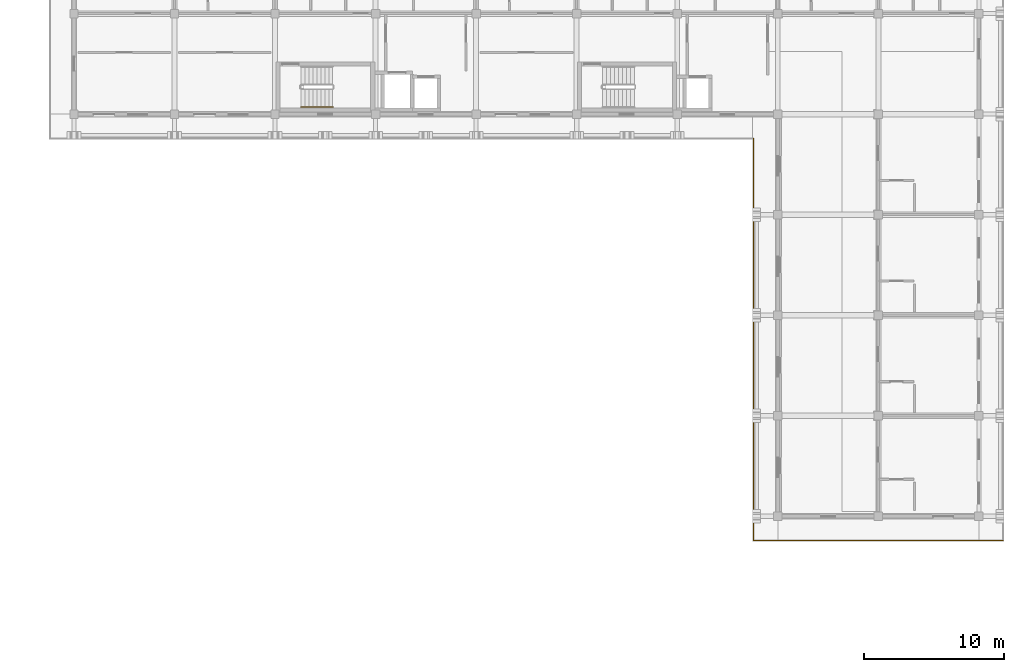
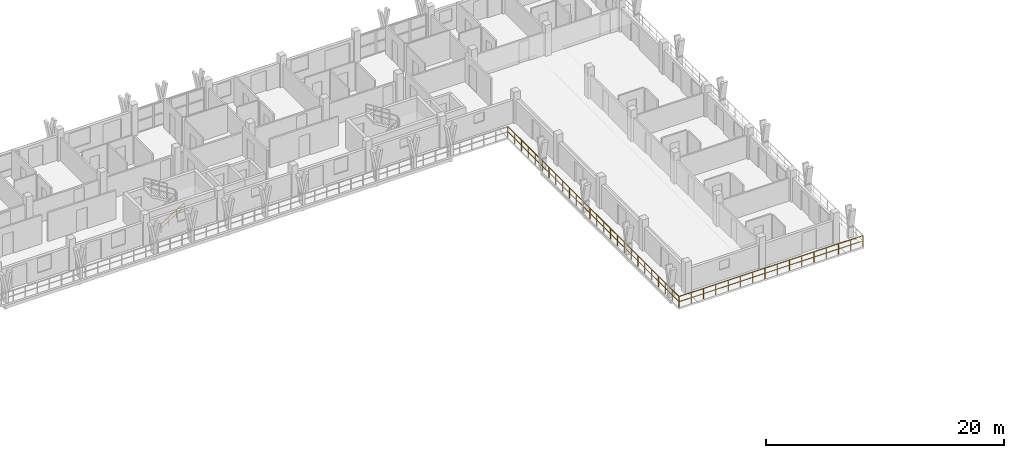
# One storey, part 75 of 78: 3 railings.
"""IFC4 building model written with IfcOpenShell, lengths in metres."""

import ifcopenshell
import ifcopenshell.guid

model = None  # the IFC model being written
_history = None  # IfcOwnerHistory: only IFC2X3 demands one
_inside = {}  # id of a spatial element -> (the spatial element, [elements in it])
_under = {}  # id of a project, library or spatial element -> (it, [spatial elements below it])
_declared = {}  # id of a project -> (the project, [libraries it declares])
_typed = {}  # id of a type object -> (the type object, [elements of that type])
_made_of = {}  # id of a material, layer set ... -> (it, [elements and type objects made of it])


def new_model(schema):
    """Start an empty IFC model of exactly this schema.

    Asked for "IFC4X3", IfcOpenShell would pick the latest addendum, in which some entities
    have other attributes; the version numbers below select the first issue.
    IFC2X3 requires an IfcOwnerHistory on every rooted entity: one is made here for all.
    """
    global model, _history
    if schema == "IFC4X3":
        model = ifcopenshell.file(schema_version=(4, 3, 0, 0))
    else:
        model = ifcopenshell.file(schema=schema)
    _inside.clear()
    _under.clear()
    _declared.clear()
    _typed.clear()
    _made_of.clear()
    _history = None
    if model.schema == "IFC2X3":
        org = make("IfcOrganization", Name="unknown")
        user = make(
            "IfcPersonAndOrganization",
            ThePerson=make("IfcPerson", FamilyName="unknown"),
            TheOrganization=org,
        )
        app = make(
            "IfcApplication",
            ApplicationDeveloper=org,
            Version="unknown",
            ApplicationFullName="unknown",
            ApplicationIdentifier="unknown",
        )
        _history = make(
            "IfcOwnerHistory",
            OwningUser=user,
            OwningApplication=app,
            ChangeAction="ADDED",
            CreationDate=0,
        )
    return model


def make(cls, **values):
    """One entity of the class cls with the attributes given. An attribute that is None is left unset."""
    return model.create_entity(
        cls, **{name: value for name, value in values.items() if value is not None}
    )


def rooted(cls, **values):
    """An entity with a GlobalId (a new one), such as an element, a storey or a relation."""
    return make(cls, GlobalId=ifcopenshell.guid.new(), OwnerHistory=_history, **values)


def si_unit(unit_type, name, prefix=None):
    """IfcSIUnit, for example si_unit("LENGTHUNIT", "METRE", prefix="MILLI")."""
    return make("IfcSIUnit", UnitType=unit_type, Prefix=prefix, Name=name)


def assignment(units):
    """IfcUnitAssignment: the units of a project."""
    return None if units is None else make("IfcUnitAssignment", Units=units)


def point(xyz):
    """IfcCartesianPoint."""
    return None if xyz is None else make("IfcCartesianPoint", Coordinates=xyz)


def direction(xyz):
    """IfcDirection."""
    return None if xyz is None else make("IfcDirection", DirectionRatios=xyz)


def frame(location, z_axis=None, x_axis=None):
    """IfcAxis2Placement3D, a coordinate frame: its origin and axes. An axis left out is left unset."""
    return make(
        "IfcAxis2Placement3D",
        Location=point(location),
        Axis=direction(z_axis),
        RefDirection=direction(x_axis),
    )


def frame_2d(location, x_axis=None):
    """IfcAxis2Placement2D, a coordinate frame in the plane: its origin and x axis."""
    return make(
        "IfcAxis2Placement2D", Location=point(location), RefDirection=direction(x_axis)
    )


def origin():
    """The frame at (0, 0, 0) with its axes left unset."""
    return frame((0.0, 0.0, 0.0))


def origin_2d():
    """The frame at (0, 0) in the plane with its x axis left unset."""
    return frame_2d((0.0, 0.0))


def place(relative_to, where):
    """IfcLocalPlacement: puts the frame where relative to a parent placement (None: the world)."""
    return make(
        "IfcLocalPlacement", PlacementRelTo=relative_to, RelativePlacement=where
    )


def context(
    kind, dimensions, precision=None, world=None, true_north=None, identifier=None
):
    """IfcGeometricRepresentationContext, for example the 3D "Model" context."""
    return make(
        "IfcGeometricRepresentationContext",
        ContextIdentifier=identifier,
        ContextType=kind,
        CoordinateSpaceDimension=dimensions,
        Precision=precision,
        WorldCoordinateSystem=world,
        TrueNorth=true_north,
    )


def subcontext(parent, identifier, kind, view, scale=None):
    """IfcGeometricRepresentationSubContext, for example "Body" below "Model"."""
    return make(
        "IfcGeometricRepresentationSubContext",
        ContextIdentifier=identifier,
        ContextType=kind,
        ParentContext=parent,
        TargetScale=scale,
        TargetView=view,
    )


def project(units=None, contexts=None):
    """IfcProject with its units and contexts."""
    return rooted(
        "IfcProject",
        Name="project",
        RepresentationContexts=contexts,
        UnitsInContext=assignment(units),
    )


def spatial(cls, under=None, at=None, **own):
    """A site, building, storey or space (cls), placed at a placement, below another one or the project."""
    s = rooted(cls, ObjectPlacement=at, **own)
    if under is not None:
        _under.setdefault(under.id(), (under, []))[1].append(s)
    return s


def profile(cls, at=None, kind="AREA", **sizes):
    """A parametric profile (cls). Its sizes go by their IFC names, for example OverallWidth=200.0."""
    return make(cls, ProfileType=kind, Position=at, **sizes)


def rectangle(**sizes):
    """IfcRectangleProfileDef."""
    return profile("IfcRectangleProfileDef", **sizes)


def extrude(swept, where, along, depth):
    """IfcExtrudedAreaSolid: the profile swept, set in the frame where, extruded along a direction by depth."""
    return make(
        "IfcExtrudedAreaSolid",
        SweptArea=swept,
        Position=where,
        ExtrudedDirection=direction(along),
        Depth=depth,
    )


def shape(context_of_items, identifier, shape_type, items):
    """IfcShapeRepresentation: the items that make up one representation, for example the "Body"."""
    return make(
        "IfcShapeRepresentation",
        ContextOfItems=context_of_items,
        RepresentationIdentifier=identifier,
        RepresentationType=shape_type,
        Items=items,
    )


def material(Name=None, Category=None):
    """IfcMaterial."""
    return make("IfcMaterial", Name=Name, Category=Category)


def made_of(thing, what):
    """Note that an element or type object is made of a material, layer set ...; save() writes the relation."""
    if what is not None:
        _made_of.setdefault(what.id(), (what, []))[1].append(thing)
    return thing


def type_object(cls, material=None, **own):
    """A type object (cls), such as IfcWallType, which elements share."""
    return made_of(rooted(cls, **own), material)


def element(
    cls,
    number,
    at=None,
    inside=None,
    cuts=None,
    type_object=None,
    material=None,
    context=None,
    identifier="Body",
    shape_type=None,
    held_by="IfcProductDefinitionShape",
    body=None,
    shapes=None,
    **own,
):
    """One element of the class cls, such as IfcWall. Its Tag is "e" and its number.

    at: its placement. inside: the storey or other place that contains it. cuts: it is an
    opening in that element (IfcRelVoidsElement). A single representation is given by context,
    identifier, shape_type and body (its items); several are given by shapes. held_by: the class
    of the entity that holds the representations. save() writes the other relations.
    """
    e = rooted(cls, Tag="e%d" % number, ObjectPlacement=at, **own)
    if body is not None:
        shapes = [shape(context, identifier, shape_type, body)]
    if shapes is not None:
        e.Representation = make(held_by, Representations=shapes)
    if inside is not None:
        _inside.setdefault(inside.id(), (inside, []))[1].append(e)
    if cuts is not None:
        rooted(
            "IfcRelVoidsElement", RelatingBuildingElement=cuts, RelatedOpeningElement=e
        )
    if type_object is not None:
        _typed.setdefault(type_object.id(), (type_object, []))[1].append(e)
    return made_of(e, material)


def aggregate(whole, parts):
    """IfcRelAggregates: a whole, such as a stair, and the parts it consists of."""
    return rooted("IfcRelAggregates", RelatingObject=whole, RelatedObjects=parts)


def save(model, path):
    """Write the relations noted so far, then the file.

    IfcRelAggregates (storeys below a building ...), IfcRelContainedInSpatialStructure (elements
    in a storey), IfcRelDefinesByType, IfcRelAssociatesMaterial and IfcRelDeclares: one each for
    every whole, place, type object, material and project.
    """
    for whole, parts in _under.values():
        aggregate(whole, parts)
    for where, things in _inside.values():
        rooted(
            "IfcRelContainedInSpatialStructure",
            RelatedElements=things,
            RelatingStructure=where,
        )
    for kind, things in _typed.values():
        rooted("IfcRelDefinesByType", RelatedObjects=things, RelatingType=kind)
    for what, things in _made_of.values():
        rooted("IfcRelAssociatesMaterial", RelatedObjects=things, RelatingMaterial=what)
    for by, libraries in _declared.values():
        rooted("IfcRelDeclares", RelatingContext=by, RelatedDefinitions=libraries)
    model.write(path)


model = new_model("IFC4")

# Units and contexts
model_context = context("Model", 3, precision=1e-05, world=origin(), true_north=direction((0.0, 1.0)))
body_context = subcontext(model_context, "Body", "Model", "MODEL_VIEW")
ifc_project = project(units=[si_unit("LENGTHUNIT", "METRE"), si_unit("AREAUNIT", "SQUARE_METRE"), si_unit("VOLUMEUNIT", "CUBIC_METRE"), si_unit("PLANEANGLEUNIT", "RADIAN"), si_unit("MASSUNIT", "GRAM", prefix="KILO")], contexts=[model_context])

# Site, building, storey
site_placement = place(None, origin())
site = spatial("IfcSite", under=ifc_project, at=site_placement, CompositionType="ELEMENT")
building_placement = place(site_placement, origin())
building = spatial("IfcBuilding", under=site, at=building_placement, Name="Suanplinth Sawtooth Commons", CompositionType="ELEMENT")
storey_placement = place(building_placement, frame((0.0, 0.0, 15.39990234375)))
storey = spatial("IfcBuildingStorey", under=building, at=storey_placement, Name="L04", CompositionType="ELEMENT", Elevation=15.39990234375)

# Railings
ifc_material_1 = material(Name="Powder-coated galvanized steel", Category="steel")
railing_type_1 = type_object("IfcRailingType", Name="GR-01", PredefinedType="BALUSTRADE", material=ifc_material_1)
railing_1_placement = place(storey_placement, frame((171.06005859375, 77.4599609375, 0.0)))
element("IfcRailing", 1, at=railing_1_placement, inside=storey, type_object=railing_type_1, Name="L04 Block B Perimeter Balustrade 1", PredefinedType="BALUSTRADE", context=body_context, shape_type="SweptSolid", body=[
    extrude(rectangle(XDim=0.048095703125, YDim=0.048095703125, at=origin_2d()), frame((0.0, 0.0, 1.09619140625), z_axis=(0.0, 1.0, 0.0), x_axis=(-1.0, 0.0, 0.0)), (0.0, 0.0, 1.0), 28.800048828125),
    extrude(rectangle(XDim=0.03369140625, YDim=0.03369140625, at=origin_2d()), frame((0.0, 0.0, 0.56005859375), z_axis=(0.0, 1.0, 0.0), x_axis=(-1.0, 0.0, 0.0)), (0.0, 0.0, 1.0), 28.800048828125),
    extrude(rectangle(XDim=0.0419921875, YDim=0.0419921875, at=origin_2d()), origin(), (0.0, 0.0, 1.0), 1.072021484375),
    extrude(rectangle(XDim=0.0419921875, YDim=0.0419921875, at=origin_2d()), frame((0.0, 1.152099609375, 0.0)), (0.0, 0.0, 1.0), 1.072021484375),
    extrude(rectangle(XDim=0.0419921875, YDim=0.0419921875, at=origin_2d()), frame((0.0, 2.303955078125, 0.0)), (0.0, 0.0, 1.0), 1.072021484375),
    extrude(rectangle(XDim=0.0419921875, YDim=0.0419921875, at=origin_2d()), frame((0.0, 3.4560546875, 0.0)), (0.0, 0.0, 1.0), 1.072021484375),
    extrude(rectangle(XDim=0.0419921875, YDim=0.0419921875, at=origin_2d()), frame((0.0, 4.60791015625, 0.0)), (0.0, 0.0, 1.0), 1.072021484375),
    extrude(rectangle(XDim=0.0419921875, YDim=0.0419921875, at=origin_2d()), frame((0.0, 5.760009765625, 0.0)), (0.0, 0.0, 1.0), 1.072021484375),
    extrude(rectangle(XDim=0.0419921875, YDim=0.0419921875, at=origin_2d()), frame((0.0, 6.912109375, 0.0)), (0.0, 0.0, 1.0), 1.072021484375),
    extrude(rectangle(XDim=0.0419921875, YDim=0.0419921875, at=origin_2d()), frame((0.0, 8.06396484375, 0.0)), (0.0, 0.0, 1.0), 1.072021484375),
    extrude(rectangle(XDim=0.0419921875, YDim=0.0419921875, at=origin_2d()), frame((0.0, 9.216064453125, 0.0)), (0.0, 0.0, 1.0), 1.072021484375),
    extrude(rectangle(XDim=0.0419921875, YDim=0.0419921875, at=origin_2d()), frame((0.0, 10.367919921875, 0.0)), (0.0, 0.0, 1.0), 1.072021484375),
    extrude(rectangle(XDim=0.0419921875, YDim=0.0419921875, at=origin_2d()), frame((0.0, 11.52001953125, 0.0)), (0.0, 0.0, 1.0), 1.072021484375),
    extrude(rectangle(XDim=0.0419921875, YDim=0.0419921875, at=origin_2d()), frame((0.0, 12.672119140625, 0.0)), (0.0, 0.0, 1.0), 1.072021484375),
    extrude(rectangle(XDim=0.0419921875, YDim=0.0419921875, at=origin_2d()), frame((0.0, 13.823974609375, 0.0)), (0.0, 0.0, 1.0), 1.072021484375),
    extrude(rectangle(XDim=0.0419921875, YDim=0.0419921875, at=origin_2d()), frame((0.0, 14.97607421875, 0.0)), (0.0, 0.0, 1.0), 1.072021484375),
    extrude(rectangle(XDim=0.0419921875, YDim=0.0419921875, at=origin_2d()), frame((0.0, 16.1279296875, 0.0)), (0.0, 0.0, 1.0), 1.072021484375),
    extrude(rectangle(XDim=0.0419921875, YDim=0.0419921875, at=origin_2d()), frame((0.0, 17.280029296875, 0.0)), (0.0, 0.0, 1.0), 1.072021484375),
    extrude(rectangle(XDim=0.0419921875, YDim=0.0419921875, at=origin_2d()), frame((0.0, 18.43212890625, 0.0)), (0.0, 0.0, 1.0), 1.072021484375),
    extrude(rectangle(XDim=0.0419921875, YDim=0.0419921875, at=origin_2d()), frame((0.0, 19.583984375, 0.0)), (0.0, 0.0, 1.0), 1.072021484375),
    extrude(rectangle(XDim=0.0419921875, YDim=0.0419921875, at=origin_2d()), frame((0.0, 20.736083984375, 0.0)), (0.0, 0.0, 1.0), 1.072021484375),
    extrude(rectangle(XDim=0.0419921875, YDim=0.0419921875, at=origin_2d()), frame((0.0, 21.887939453125, 0.0)), (0.0, 0.0, 1.0), 1.072021484375),
    extrude(rectangle(XDim=0.0419921875, YDim=0.0419921875, at=origin_2d()), frame((0.0, 23.0400390625, 0.0)), (0.0, 0.0, 1.0), 1.072021484375),
    extrude(rectangle(XDim=0.0419921875, YDim=0.0419921875, at=origin_2d()), frame((0.0, 24.192138671875, 0.0)), (0.0, 0.0, 1.0), 1.072021484375),
    extrude(rectangle(XDim=0.0419921875, YDim=0.0419921875, at=origin_2d()), frame((0.0, 25.343994140625, 0.0)), (0.0, 0.0, 1.0), 1.072021484375),
    extrude(rectangle(XDim=0.0419921875, YDim=0.0419921875, at=origin_2d()), frame((0.0, 26.49609375, 0.0)), (0.0, 0.0, 1.0), 1.072021484375),
    extrude(rectangle(XDim=0.0419921875, YDim=0.0419921875, at=origin_2d()), frame((0.0, 27.64794921875, 0.0)), (0.0, 0.0, 1.0), 1.072021484375),
    extrude(rectangle(XDim=0.0419921875, YDim=0.0419921875, at=origin_2d()), frame((0.0, 28.800048828125, 0.0)), (0.0, 0.0, 1.0), 1.072021484375),
])
railing_2_placement = place(storey_placement, frame((188.93994140625, 77.4599609375, 0.0)))
element("IfcRailing", 2, at=railing_2_placement, inside=storey, type_object=railing_type_1, Name="L04 Block B Perimeter Balustrade 6", PredefinedType="BALUSTRADE", context=body_context, shape_type="SweptSolid", body=[
    extrude(rectangle(XDim=0.048095703125, YDim=0.048095703125, at=origin_2d()), frame((0.0, 0.0, 1.09619140625), z_axis=(-1.0, 0.0, 0.0), x_axis=(0.0, -1.0, 0.0)), (0.0, 0.0, 1.0), 17.8798828125),
    extrude(rectangle(XDim=0.03369140625, YDim=0.03369140625, at=origin_2d()), frame((0.0, 0.0, 0.56005859375), z_axis=(-1.0, 0.0, 0.0), x_axis=(0.0, -1.0, 0.0)), (0.0, 0.0, 1.0), 17.8798828125),
    extrude(rectangle(XDim=0.0419921875, YDim=0.0419921875, at=origin_2d()), origin(), (0.0, 0.0, 1.0), 1.072021484375),
    extrude(rectangle(XDim=0.0419921875, YDim=0.0419921875, at=origin_2d()), frame((-1.19189453125, 0.0, 0.0)), (0.0, 0.0, 1.0), 1.072021484375),
    extrude(rectangle(XDim=0.0419921875, YDim=0.0419921875, at=origin_2d()), frame((-2.384033203125, 0.0, 0.0)), (0.0, 0.0, 1.0), 1.072021484375),
    extrude(rectangle(XDim=0.0419921875, YDim=0.0419921875, at=origin_2d()), frame((-3.575927734375, 0.0, 0.0)), (0.0, 0.0, 1.0), 1.072021484375),
    extrude(rectangle(XDim=0.0419921875, YDim=0.0419921875, at=origin_2d()), frame((-4.76806640625, 0.0, 0.0)), (0.0, 0.0, 1.0), 1.072021484375),
    extrude(rectangle(XDim=0.0419921875, YDim=0.0419921875, at=origin_2d()), frame((-5.9599609375, 0.0, 0.0)), (0.0, 0.0, 1.0), 1.072021484375),
    extrude(rectangle(XDim=0.0419921875, YDim=0.0419921875, at=origin_2d()), frame((-7.15185546875, 0.0, 0.0)), (0.0, 0.0, 1.0), 1.072021484375),
    extrude(rectangle(XDim=0.0419921875, YDim=0.0419921875, at=origin_2d()), frame((-8.343994140625, 0.0, 0.0)), (0.0, 0.0, 1.0), 1.072021484375),
    extrude(rectangle(XDim=0.0419921875, YDim=0.0419921875, at=origin_2d()), frame((-9.535888671875, 0.0, 0.0)), (0.0, 0.0, 1.0), 1.072021484375),
    extrude(rectangle(XDim=0.0419921875, YDim=0.0419921875, at=origin_2d()), frame((-10.72802734375, 0.0, 0.0)), (0.0, 0.0, 1.0), 1.072021484375),
    extrude(rectangle(XDim=0.0419921875, YDim=0.0419921875, at=origin_2d()), frame((-11.919921875, 0.0, 0.0)), (0.0, 0.0, 1.0), 1.072021484375),
    extrude(rectangle(XDim=0.0419921875, YDim=0.0419921875, at=origin_2d()), frame((-13.11181640625, 0.0, 0.0)), (0.0, 0.0, 1.0), 1.072021484375),
    extrude(rectangle(XDim=0.0419921875, YDim=0.0419921875, at=origin_2d()), frame((-14.303955078125, 0.0, 0.0)), (0.0, 0.0, 1.0), 1.072021484375),
    extrude(rectangle(XDim=0.0419921875, YDim=0.0419921875, at=origin_2d()), frame((-15.495849609375, 0.0, 0.0)), (0.0, 0.0, 1.0), 1.072021484375),
    extrude(rectangle(XDim=0.0419921875, YDim=0.0419921875, at=origin_2d()), frame((-16.68798828125, 0.0, 0.0)), (0.0, 0.0, 1.0), 1.072021484375),
    extrude(rectangle(XDim=0.0419921875, YDim=0.0419921875, at=origin_2d()), frame((-17.8798828125, 0.0, 0.0)), (0.0, 0.0, 1.0), 1.072021484375),
])
ifc_material_2 = material(Name="Stainless steel Grade 304", Category="steel")
railing_type_2 = type_object("IfcRailingType", Name="HR-01", PredefinedType="HANDRAIL", material=ifc_material_2)
railing_3_placement = place(storey_placement, frame((138.64990234375, 108.5, 0.177978515625)))
element("IfcRailing", 3, at=railing_3_placement, inside=storey, type_object=railing_type_2, Name="L04 ST-E1 Handrail 1", PredefinedType="HANDRAIL", context=body_context, shape_type="SweptSolid", body=[
    extrude(rectangle(XDim=0.048095703125, YDim=0.048095703125, at=origin_2d()), frame((0.0, 0.0, 0.8759765625), z_axis=(0.848482842525, 0.0, 0.529222888715), x_axis=(0.0, 1.0, 0.0)), (0.0, 0.0, 1.0), 2.687255859375),
    extrude(rectangle(XDim=0.03369140625, YDim=0.03369140625, at=origin_2d()), frame((0.0, 0.0, 0.449951171875), z_axis=(0.848482842525, 0.0, 0.529222888715), x_axis=(0.0, 1.0, 0.0)), (0.0, 0.0, 1.0), 2.687255859375),
    extrude(rectangle(XDim=0.0419921875, YDim=0.0419921875, at=origin_2d()), origin(), (0.0, 0.0, 1.0), 0.851806640625),
    extrude(rectangle(XDim=0.0419921875, YDim=0.0419921875, at=origin_2d()), frame((0.760009765625, 0.0, 0.47412109375)), (0.0, 0.0, 1.0), 0.851806640625),
    extrude(rectangle(XDim=0.0419921875, YDim=0.0419921875, at=origin_2d()), frame((1.52001953125, 0.0, 0.947998046875)), (0.0, 0.0, 1.0), 0.851806640625),
    extrude(rectangle(XDim=0.0419921875, YDim=0.0419921875, at=origin_2d()), frame((2.280029296875, 0.0, 1.422119140625)), (0.0, 0.0, 1.0), 0.851806640625),
])

save(model, "model.ifc")
